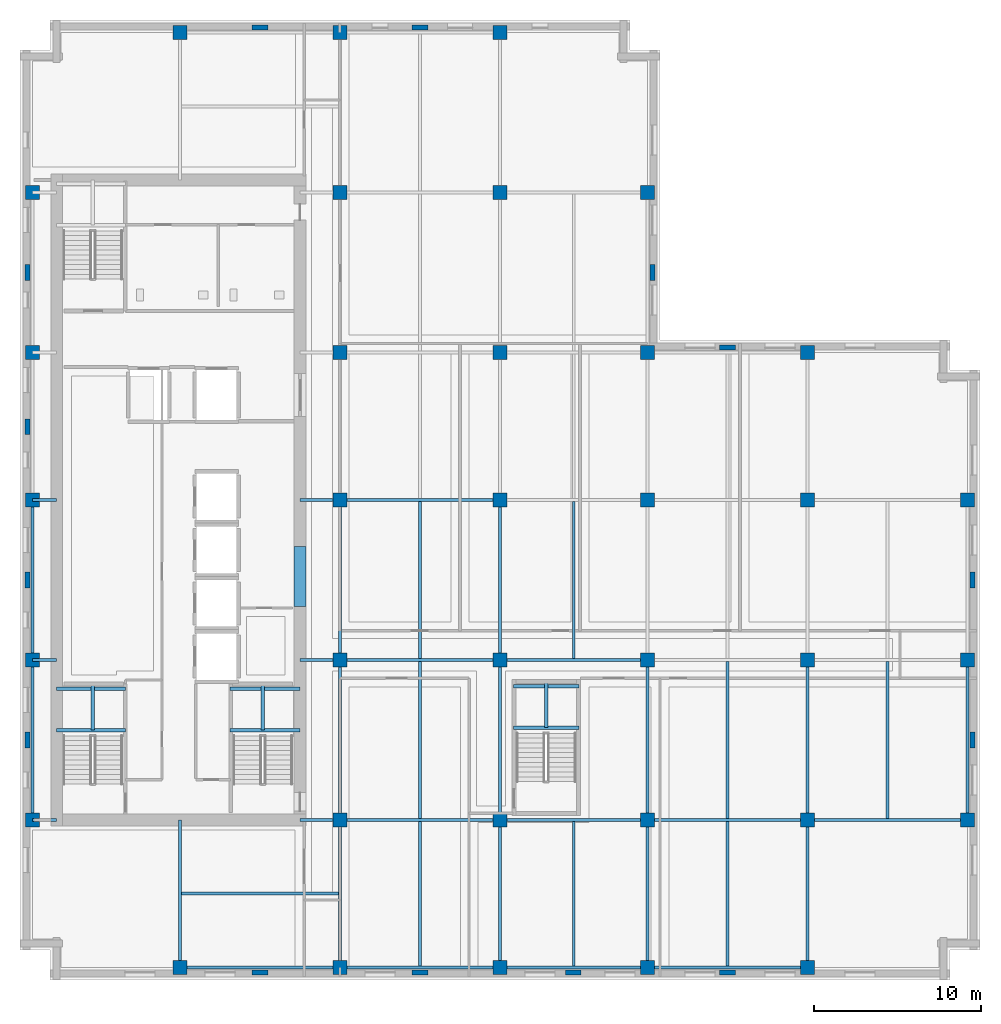
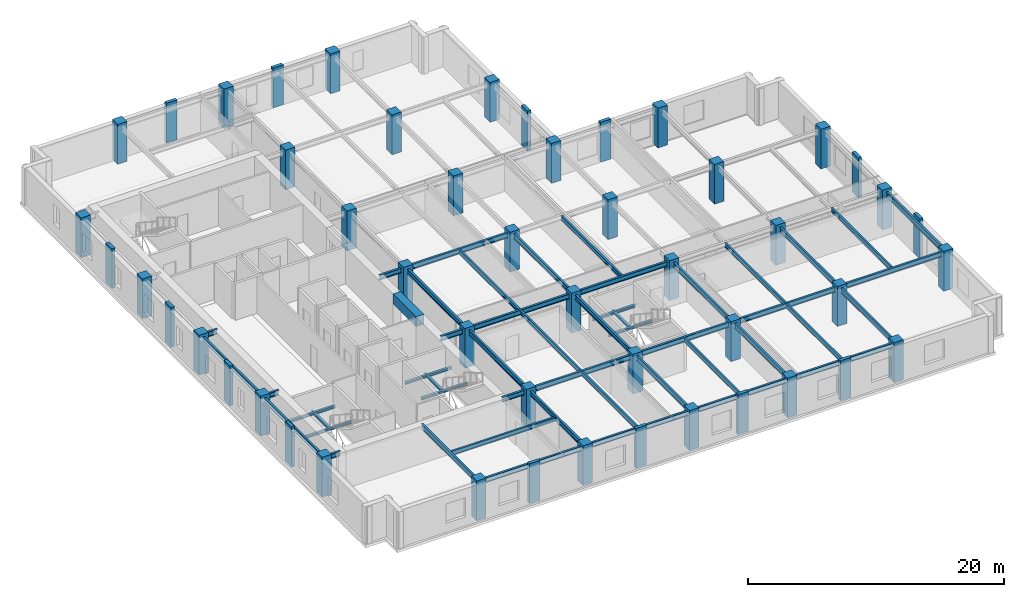
# One storey, part 1 of 11: 50 beams, 49 columns.
"""IFC4 building model written with IfcOpenShell, lengths in metres."""

from ifc_helpers import new_model, si_unit, direction, frame, origin, origin_2d, place, context, subcontext, project, spatial, rectangle, i_section, extrude, material, material_profile, profile_set, type_object, element, save


model = new_model("IFC4")

# Units and contexts
model_context = context("Model", 3, precision=1e-05, world=origin(), true_north=direction((0.0, 1.0)))
body_context = subcontext(model_context, "Body", "Model", "MODEL_VIEW")
ifc_project = project(units=[si_unit("LENGTHUNIT", "METRE"), si_unit("AREAUNIT", "SQUARE_METRE"), si_unit("VOLUMEUNIT", "CUBIC_METRE"), si_unit("PLANEANGLEUNIT", "RADIAN"), si_unit("MASSUNIT", "GRAM", prefix="KILO")], contexts=[model_context])

# Site, building, storey
site_placement = place(None, origin())
site = spatial("IfcSite", under=ifc_project, at=site_placement, CompositionType="ELEMENT")
building_placement = place(site_placement, origin())
building = spatial("IfcBuilding", under=site, at=building_placement, Name="Norrvale University Quadrangle", CompositionType="ELEMENT")
storey_placement = place(building_placement, frame((0.0, 0.0, 202.800048828125)))
storey = spatial("IfcBuildingStorey", under=building, at=storey_placement, Name="L51", CompositionType="ELEMENT", Elevation=202.800048828125)

# Columns
ifc_material_1 = material(Name="Red Manganese Brick Concrete C60/75", Category="concrete")
ifc_material_profile_1 = material_profile(ifc_material_1, rectangle(XDim=0.949951171875, YDim=0.300048828125, at=origin_2d()), Name="Red Manganese Brick Concrete C60/75")
ifc_profile_set_1 = profile_set([ifc_material_profile_1], Name="Red Manganese Brick Concrete C60/75")
column_type_1 = type_object("IfcColumnType", Name="Column Brick Pier 950x300", PredefinedType="PILASTER", material=ifc_profile_set_1)
for number, where, z_axis, x_axis, name in (
    (1, (0.449951171875, 14.39990234375, 0.0), (0.0, 0.0, 1.0), (0.0, 1.0, 0.0), "Exterior Brick Facade Pilaster L51-01"),
    (2, (0.449951171875, 24.0, 0.0), (0.0, 0.0, 1.0), (0.0, 1.0, 0.0), "Exterior Brick Facade Pilaster L51-02"),
    (3, (0.449951171875, 33.199951171875, 0.0), (0.0, 0.0, 1.0), (0.0, 1.0, 0.0), "Exterior Brick Facade Pilaster L51-03"),
    (4, (0.449951171875, 42.449951171875, 0.0), (0.0, 0.0, 1.0), (0.0, 1.0, 0.0), "Exterior Brick Facade Pilaster L51-04"),
    (5, (14.39990234375, 0.449951171875, 0.0), (0.0, 0.0, 1.0), (1.0, 0.0, 0.0), "Exterior Brick Facade Pilaster L51-05"),
    (6, (24.0, 0.449951171875, 0.0), (0.0, 0.0, 1.0), (1.0, 0.0, 0.0), "Exterior Brick Facade Pilaster L51-06"),
    (7, (33.199951171875, 0.449951171875, 0.0), (0.0, 0.0, 1.0), (1.0, 0.0, 0.0), "Exterior Brick Facade Pilaster L51-07"),
    (8, (42.449951171875, 0.449951171875, 0.0), (0.0, 0.0, 1.0), (1.0, 0.0, 0.0), "Exterior Brick Facade Pilaster L51-08"),
    (9, (57.14990234375, 14.39990234375, 0.0), (0.0, 0.0, 1.0), (0.0, 1.0, 0.0), "Exterior Brick Facade Pilaster L51-09"),
    (10, (57.14990234375, 24.0, 0.0), (0.0, 0.0, 1.0), (0.0, 1.0, 0.0), "Exterior Brick Facade Pilaster L51-10"),
    (11, (14.39990234375, 57.14990234375, 0.0), (0.0, 0.0, 1.0), (1.0, 0.0, 0.0), "Exterior Brick Facade Pilaster L51-11"),
    (12, (24.0, 57.14990234375, 0.0), (0.0, 0.0, 1.0), (1.0, 0.0, 0.0), "Exterior Brick Facade Pilaster L51-12"),
    (13, (37.949951171875, 42.449951171875, 0.0), (0.0, 0.0, 1.0), (0.0, 1.0, 0.0), "Exterior Brick Facade Pilaster L51-13"),
    (14, (42.449951171875, 37.949951171875, 0.0), (0.0, 0.0, 1.0), (1.0, 0.0, 0.0), "Exterior Brick Facade Pilaster L51-14"),
):
    element("IfcColumn", number, at=place(storey_placement, frame(where, z_axis=z_axis, x_axis=x_axis)), inside=storey, type_object=column_type_1, Name=name, PredefinedType="PILASTER", context=body_context, shape_type="SweptSolid", body=[
        extrude(rectangle(XDim=0.949951171875, YDim=0.300048828125, at=origin_2d()), origin(), (0.0, 0.0, 1.0), 3.800048828125),
    ])
ifc_material_2 = material(Name="Concrete C60/75", Category="concrete")
ifc_material_profile_2 = material_profile(ifc_material_2, rectangle(XDim=0.85009765625, YDim=0.85009765625, at=origin_2d()), Name="Concrete C60/75")
ifc_profile_set_2 = profile_set([ifc_material_profile_2], Name="Concrete C60/75")
column_type_2 = type_object("IfcColumnType", Name="Column Tower Z3 850x850", PredefinedType="COLUMN", material=ifc_profile_set_2)
for number, where, z_axis, x_axis, name in (
    (15, (0.75, 9.60009765625, 0.0), (0.0, 0.0, 1.0), (1.0, 0.0, 0.0), "Tower Column L51-T01"),
    (16, (0.75, 19.199951171875, 0.0), (0.0, 0.0, 1.0), (1.0, 0.0, 0.0), "Tower Column L51-T02"),
    (17, (0.75, 28.800048828125, 0.0), (0.0, 0.0, 1.0), (1.0, 0.0, 0.0), "Tower Column L51-T03"),
    (18, (0.75, 37.64990234375, 0.0), (0.0, 0.0, 1.0), (1.0, 0.0, 0.0), "Tower Column L51-T04"),
    (19, (0.75, 47.25, 0.0), (0.0, 0.0, 1.0), (1.0, 0.0, 0.0), "Tower Column L51-T05"),
    (20, (9.60009765625, 0.75, 0.0), (0.0, 0.0, 1.0), (1.0, 0.0, 0.0), "Tower Column L51-T06"),
    (21, (9.60009765625, 56.85009765625, 0.0), (0.0, 0.0, 1.0), (1.0, 0.0, 0.0), "Tower Column L51-T07"),
    (22, (19.199951171875, 0.75, 0.0), (0.0, 0.0, 1.0), (1.0, 0.0, 0.0), "Tower Column L51-T08"),
    (23, (19.199951171875, 9.60009765625, 0.0), (0.0, 0.0, 1.0), (1.0, 0.0, 0.0), "Tower Column L51-T09"),
    (24, (19.199951171875, 19.199951171875, 0.0), (0.0, 0.0, 1.0), (1.0, 0.0, 0.0), "Tower Column L51-T10"),
    (25, (19.199951171875, 28.800048828125, 0.0), (0.0, 0.0, 1.0), (1.0, 0.0, 0.0), "Tower Column L51-T11"),
    (26, (19.199951171875, 37.64990234375, 0.0), (0.0, 0.0, 1.0), (1.0, 0.0, 0.0), "Tower Column L51-T12"),
    (27, (19.199951171875, 47.25, 0.0), (0.0, 0.0, 1.0), (1.0, 0.0, 0.0), "Tower Column L51-T13"),
    (28, (19.199951171875, 56.85009765625, 0.0), (0.0, 0.0, 1.0), (1.0, 0.0, 0.0), "Tower Column L51-T14"),
    (29, (28.800048828125, 0.75, 0.0), (0.0, 0.0, 1.0), (1.0, 0.0, 0.0), "Tower Column L51-T15"),
    (30, (28.800048828125, 9.60009765625, 0.0), (0.0, 0.0, 1.0), (1.0, 0.0, 0.0), "Tower Column L51-T16"),
    (31, (28.800048828125, 19.199951171875, 0.0), (0.0, 0.0, 1.0), (1.0, 0.0, 0.0), "Tower Column L51-T17"),
    (32, (28.800048828125, 28.800048828125, 0.0), (0.0, 0.0, 1.0), (1.0, 0.0, 0.0), "Tower Column L51-T18"),
    (33, (28.800048828125, 37.64990234375, 0.0), (0.0, 0.0, 1.0), (1.0, 0.0, 0.0), "Tower Column L51-T19"),
    (34, (28.800048828125, 47.25, 0.0), (0.0, 0.0, 1.0), (1.0, 0.0, 0.0), "Tower Column L51-T20"),
    (35, (28.800048828125, 56.85009765625, 0.0), (0.0, 0.0, 1.0), (1.0, 0.0, 0.0), "Tower Column L51-T21"),
    (36, (37.64990234375, 0.75, 0.0), (0.0, 0.0, 1.0), (1.0, 0.0, 0.0), "Tower Column L51-T22"),
    (37, (37.64990234375, 9.60009765625, 0.0), (0.0, 0.0, 1.0), (1.0, 0.0, 0.0), "Tower Column L51-T23"),
    (38, (37.64990234375, 19.199951171875, 0.0), (0.0, 0.0, 1.0), (1.0, 0.0, 0.0), "Tower Column L51-T24"),
    (39, (37.64990234375, 28.800048828125, 0.0), (0.0, 0.0, 1.0), (1.0, 0.0, 0.0), "Tower Column L51-T25"),
    (40, (37.64990234375, 37.64990234375, 0.0), (0.0, 0.0, 1.0), (1.0, 0.0, 0.0), "Tower Column L51-T26"),
    (41, (37.64990234375, 47.25, 0.0), (0.0, 0.0, 1.0), (1.0, 0.0, 0.0), "Tower Column L51-T27"),
    (42, (47.25, 0.75, 0.0), (0.0, 0.0, 1.0), (1.0, 0.0, 0.0), "Tower Column L51-T28"),
    (43, (47.25, 9.60009765625, 0.0), (0.0, 0.0, 1.0), (1.0, 0.0, 0.0), "Tower Column L51-T29"),
    (44, (47.25, 19.199951171875, 0.0), (0.0, 0.0, 1.0), (1.0, 0.0, 0.0), "Tower Column L51-T30"),
    (45, (47.25, 28.800048828125, 0.0), (0.0, 0.0, 1.0), (1.0, 0.0, 0.0), "Tower Column L51-T31"),
    (46, (47.25, 37.64990234375, 0.0), (0.0, 0.0, 1.0), (1.0, 0.0, 0.0), "Tower Column L51-T32"),
    (47, (56.85009765625, 9.60009765625, 0.0), (0.0, 0.0, 1.0), (1.0, 0.0, 0.0), "Tower Column L51-T33"),
    (48, (56.85009765625, 19.199951171875, 0.0), (0.0, 0.0, 1.0), (1.0, 0.0, 0.0), "Tower Column L51-T34"),
    (49, (56.85009765625, 28.800048828125, 0.0), (0.0, 0.0, 1.0), (1.0, 0.0, 0.0), "Tower Column L51-T35"),
):
    element("IfcColumn", number, at=place(storey_placement, frame(where, z_axis=z_axis, x_axis=x_axis)), inside=storey, type_object=column_type_2, Name=name, PredefinedType="COLUMN", context=body_context, shape_type="SweptSolid", body=[
        extrude(rectangle(XDim=0.85009765625, YDim=0.85009765625, at=origin_2d()), origin(), (0.0, 0.0, 1.0), 3.800048828125),
    ])

# Beams
ifc_material_3 = material(Name="Concrete C80/95", Category="concrete")
ifc_material_profile_3 = material_profile(ifc_material_3, rectangle(XDim=0.699951171875, YDim=0.949951171875, at=origin_2d()), Name="Concrete C80/95")
ifc_profile_set_3 = profile_set([ifc_material_profile_3], Name="Concrete C80/95")
beam_type_1 = type_object("IfcBeamType", Name="Beam Core Link 700x950", PredefinedType="LINTEL", material=ifc_profile_set_3)
beam_1_placement = place(storey_placement, frame((16.800048828125, 22.39990234375, 3.06494140625), z_axis=(0.0, 1.0, 0.0), x_axis=(-1.0, 0.0, 0.0)))
element("IfcBeam", 50, at=beam_1_placement, inside=storey, type_object=beam_type_1, Name="Core Coupling Lintel Beam L51-1", PredefinedType="LINTEL", context=body_context, shape_type="SweptSolid", body=[
    extrude(rectangle(XDim=0.699951171875, YDim=0.949951171875, at=origin_2d()), origin(), (0.0, 0.0, 1.0), 3.60009765625),
])
ifc_material_4 = material(Name="Steel 350W", Category="steel")
ifc_material_profile_4 = material_profile(ifc_material_4, i_section(OverallWidth=0.194091796875, OverallDepth=0.468994140625, WebThickness=0.0126953125, FlangeThickness=0.0205078125, FilletRadius=0.012939453125, at=origin_2d()), Name="Steel 350W")
ifc_profile_set_4 = profile_set([ifc_material_profile_4], Name="Steel 350W")
beam_type_2 = type_object("IfcBeamType", Name="Beam Floor W460x106", PredefinedType="BEAM", material=ifc_profile_set_4)
beam_2_placement = place(storey_placement, frame((9.60009765625, 0.75, 3.305419921875), z_axis=(1.0, 0.0, 0.0), x_axis=(0.0, 1.0, 0.0)))
element("IfcBeam", 51, at=beam_2_placement, inside=storey, type_object=beam_type_2, Name="Beam Floor W460x106 BM-L51-GX001", PredefinedType="BEAM", context=body_context, shape_type="SweptSolid", body=[
    extrude(i_section(OverallWidth=0.194091796875, OverallDepth=0.468994140625, WebThickness=0.0126953125, FlangeThickness=0.0205078125, FilletRadius=0.012939453125, at=origin_2d()), origin(), (0.0, 0.0, 1.0), 9.599853515625),
])
beam_3_placement = place(storey_placement, frame((19.199951171875, 0.75, 3.305419921875), z_axis=(1.0, 0.0, 0.0), x_axis=(0.0, 1.0, 0.0)))
element("IfcBeam", 52, at=beam_3_placement, inside=storey, type_object=beam_type_2, Name="Beam Floor W460x106 BM-L51-GX002", PredefinedType="BEAM", context=body_context, shape_type="SweptSolid", body=[
    extrude(i_section(OverallWidth=0.194091796875, OverallDepth=0.468994140625, WebThickness=0.0126953125, FlangeThickness=0.0205078125, FilletRadius=0.012939453125, at=origin_2d()), origin(), (0.0, 0.0, 1.0), 9.60009765625),
])
beam_4_placement = place(storey_placement, frame((28.800048828125, 0.75, 3.305419921875), z_axis=(1.0, 0.0, 0.0), x_axis=(0.0, 1.0, 0.0)))
element("IfcBeam", 53, at=beam_4_placement, inside=storey, type_object=beam_type_2, Name="Beam Floor W460x106 BM-L51-GX003", PredefinedType="BEAM", context=body_context, shape_type="SweptSolid", body=[
    extrude(i_section(OverallWidth=0.194091796875, OverallDepth=0.468994140625, WebThickness=0.0126953125, FlangeThickness=0.0205078125, FilletRadius=0.012939453125, at=origin_2d()), origin(), (0.0, 0.0, 1.0), 8.849853515625),
])
for number, where, z_axis, x_axis, name in (
    (54, (37.64990234375, 0.75, 3.305419921875), (1.0, 0.0, 0.0), (0.0, 1.0, 0.0), "Beam Floor W460x106 BM-L51-GX004"),
    (55, (19.199951171875, 9.60009765625, 3.305419921875), (1.0, 0.0, 0.0), (0.0, 1.0, 0.0), "Beam Floor W460x106 BM-L51-GX005"),
):
    element("IfcBeam", number, at=place(storey_placement, frame(where, z_axis=z_axis, x_axis=x_axis)), inside=storey, type_object=beam_type_2, Name=name, PredefinedType="BEAM", context=body_context, shape_type="SweptSolid", body=[
        extrude(i_section(OverallWidth=0.194091796875, OverallDepth=0.468994140625, WebThickness=0.0126953125, FlangeThickness=0.0205078125, FilletRadius=0.012939453125, at=origin_2d()), origin(), (0.0, 0.0, 1.0), 9.60009765625),
    ])
beam_5_placement = place(storey_placement, frame((28.800048828125, 9.60009765625, 3.305419921875), z_axis=(1.0, 0.0, 0.0), x_axis=(0.0, 1.0, 0.0)))
element("IfcBeam", 56, at=beam_5_placement, inside=storey, type_object=beam_type_2, Name="Beam Floor W460x106 BM-L51-GX006", PredefinedType="BEAM", context=body_context, shape_type="SweptSolid", body=[
    extrude(i_section(OverallWidth=0.194091796875, OverallDepth=0.468994140625, WebThickness=0.0126953125, FlangeThickness=0.0205078125, FilletRadius=0.012939453125, at=origin_2d()), origin(), (0.0, 0.0, 1.0), 8.849853515625),
])
for number, where, z_axis, x_axis, name in (
    (57, (37.64990234375, 9.60009765625, 3.305419921875), (1.0, 0.0, 0.0), (0.0, 1.0, 0.0), "Beam Floor W460x106 BM-L51-GX007"),
    (58, (47.25, 9.60009765625, 3.305419921875), (1.0, 0.0, 0.0), (0.0, 1.0, 0.0), "Beam Floor W460x106 BM-L51-GX008"),
    (59, (19.199951171875, 19.199951171875, 3.305419921875), (1.0, 0.0, 0.0), (0.0, 1.0, 0.0), "Beam Floor W460x106 BM-L51-GX009"),
):
    element("IfcBeam", number, at=place(storey_placement, frame(where, z_axis=z_axis, x_axis=x_axis)), inside=storey, type_object=beam_type_2, Name=name, PredefinedType="BEAM", context=body_context, shape_type="SweptSolid", body=[
        extrude(i_section(OverallWidth=0.194091796875, OverallDepth=0.468994140625, WebThickness=0.0126953125, FlangeThickness=0.0205078125, FilletRadius=0.012939453125, at=origin_2d()), origin(), (0.0, 0.0, 1.0), 9.60009765625),
    ])
beam_6_placement = place(storey_placement, frame((28.800048828125, 19.199951171875, 3.305419921875), z_axis=(1.0, 0.0, 0.0), x_axis=(0.0, 1.0, 0.0)))
element("IfcBeam", 60, at=beam_6_placement, inside=storey, type_object=beam_type_2, Name="Beam Floor W460x106 BM-L51-GX010", PredefinedType="BEAM", context=body_context, shape_type="SweptSolid", body=[
    extrude(i_section(OverallWidth=0.194091796875, OverallDepth=0.468994140625, WebThickness=0.0126953125, FlangeThickness=0.0205078125, FilletRadius=0.012939453125, at=origin_2d()), origin(), (0.0, 0.0, 1.0), 8.849853515625),
])
beam_7_placement = place(storey_placement, frame((19.199951171875, 28.800048828125, 3.305419921875), z_axis=(1.0, 0.0, 0.0), x_axis=(0.0, 1.0, 0.0)))
element("IfcBeam", 61, at=beam_7_placement, inside=storey, type_object=beam_type_2, Name="Beam Floor W460x106 BM-L51-GX013", PredefinedType="BEAM", context=body_context, shape_type="SweptSolid", body=[
    extrude(i_section(OverallWidth=0.194091796875, OverallDepth=0.468994140625, WebThickness=0.0126953125, FlangeThickness=0.0205078125, FilletRadius=0.012939453125, at=origin_2d()), origin(), (0.0, 0.0, 1.0), 9.60009765625),
])
beam_8_placement = place(storey_placement, frame((0.75, 9.60009765625, 3.305419921875), z_axis=(0.0, 1.0, 0.0), x_axis=(-1.0, 0.0, 0.0)))
element("IfcBeam", 62, at=beam_8_placement, inside=storey, type_object=beam_type_2, Name="Beam Floor W460x106 BM-L51-GY024", PredefinedType="BEAM", context=body_context, shape_type="SweptSolid", body=[
    extrude(i_section(OverallWidth=0.194091796875, OverallDepth=0.468994140625, WebThickness=0.0126953125, FlangeThickness=0.0205078125, FilletRadius=0.012939453125, at=origin_2d()), origin(), (0.0, 0.0, 1.0), 9.599853515625),
])
beam_9_placement = place(storey_placement, frame((0.75, 19.199951171875, 3.305419921875), z_axis=(0.0, 1.0, 0.0), x_axis=(-1.0, 0.0, 0.0)))
element("IfcBeam", 63, at=beam_9_placement, inside=storey, type_object=beam_type_2, Name="Beam Floor W460x106 BM-L51-GY025", PredefinedType="BEAM", context=body_context, shape_type="SweptSolid", body=[
    extrude(i_section(OverallWidth=0.194091796875, OverallDepth=0.468994140625, WebThickness=0.0126953125, FlangeThickness=0.0205078125, FilletRadius=0.012939453125, at=origin_2d()), origin(), (0.0, 0.0, 1.0), 9.60009765625),
])
beam_10_placement = place(storey_placement, frame((19.199951171875, 0.75, 3.305419921875), z_axis=(0.0, 1.0, 0.0), x_axis=(-1.0, 0.0, 0.0)))
element("IfcBeam", 64, at=beam_10_placement, inside=storey, type_object=beam_type_2, Name="Beam Floor W460x106 BM-L51-GY028", PredefinedType="BEAM", context=body_context, shape_type="SweptSolid", body=[
    extrude(i_section(OverallWidth=0.194091796875, OverallDepth=0.468994140625, WebThickness=0.0126953125, FlangeThickness=0.0205078125, FilletRadius=0.012939453125, at=origin_2d()), origin(), (0.0, 0.0, 1.0), 8.85009765625),
])
beam_11_placement = place(storey_placement, frame((19.199951171875, 9.60009765625, 3.305419921875), z_axis=(0.0, 1.0, 0.0), x_axis=(-1.0, 0.0, 0.0)))
element("IfcBeam", 65, at=beam_11_placement, inside=storey, type_object=beam_type_2, Name="Beam Floor W460x106 BM-L51-GY029", PredefinedType="BEAM", context=body_context, shape_type="SweptSolid", body=[
    extrude(i_section(OverallWidth=0.194091796875, OverallDepth=0.468994140625, WebThickness=0.0126953125, FlangeThickness=0.0205078125, FilletRadius=0.012939453125, at=origin_2d()), origin(), (0.0, 0.0, 1.0), 9.599853515625),
])
beam_12_placement = place(storey_placement, frame((19.199951171875, 19.199951171875, 3.305419921875), z_axis=(0.0, 1.0, 0.0), x_axis=(-1.0, 0.0, 0.0)))
element("IfcBeam", 66, at=beam_12_placement, inside=storey, type_object=beam_type_2, Name="Beam Floor W460x106 BM-L51-GY030", PredefinedType="BEAM", context=body_context, shape_type="SweptSolid", body=[
    extrude(i_section(OverallWidth=0.194091796875, OverallDepth=0.468994140625, WebThickness=0.0126953125, FlangeThickness=0.0205078125, FilletRadius=0.012939453125, at=origin_2d()), origin(), (0.0, 0.0, 1.0), 9.60009765625),
])
beam_13_placement = place(storey_placement, frame((28.800048828125, 0.75, 3.305419921875), z_axis=(0.0, 1.0, 0.0), x_axis=(-1.0, 0.0, 0.0)))
element("IfcBeam", 67, at=beam_13_placement, inside=storey, type_object=beam_type_2, Name="Beam Floor W460x106 BM-L51-GY034", PredefinedType="BEAM", context=body_context, shape_type="SweptSolid", body=[
    extrude(i_section(OverallWidth=0.194091796875, OverallDepth=0.468994140625, WebThickness=0.0126953125, FlangeThickness=0.0205078125, FilletRadius=0.012939453125, at=origin_2d()), origin(), (0.0, 0.0, 1.0), 8.85009765625),
])
beam_14_placement = place(storey_placement, frame((28.800048828125, 9.60009765625, 3.305419921875), z_axis=(0.0, 1.0, 0.0), x_axis=(-1.0, 0.0, 0.0)))
element("IfcBeam", 68, at=beam_14_placement, inside=storey, type_object=beam_type_2, Name="Beam Floor W460x106 BM-L51-GY035", PredefinedType="BEAM", context=body_context, shape_type="SweptSolid", body=[
    extrude(i_section(OverallWidth=0.194091796875, OverallDepth=0.468994140625, WebThickness=0.0126953125, FlangeThickness=0.0205078125, FilletRadius=0.012939453125, at=origin_2d()), origin(), (0.0, 0.0, 1.0), 9.599853515625),
])
beam_15_placement = place(storey_placement, frame((28.800048828125, 19.199951171875, 3.305419921875), z_axis=(0.0, 1.0, 0.0), x_axis=(-1.0, 0.0, 0.0)))
element("IfcBeam", 69, at=beam_15_placement, inside=storey, type_object=beam_type_2, Name="Beam Floor W460x106 BM-L51-GY036", PredefinedType="BEAM", context=body_context, shape_type="SweptSolid", body=[
    extrude(i_section(OverallWidth=0.194091796875, OverallDepth=0.468994140625, WebThickness=0.0126953125, FlangeThickness=0.0205078125, FilletRadius=0.012939453125, at=origin_2d()), origin(), (0.0, 0.0, 1.0), 9.60009765625),
])
beam_16_placement = place(storey_placement, frame((37.64990234375, 0.75, 3.305419921875), z_axis=(0.0, 1.0, 0.0), x_axis=(-1.0, 0.0, 0.0)))
element("IfcBeam", 70, at=beam_16_placement, inside=storey, type_object=beam_type_2, Name="Beam Floor W460x106 BM-L51-GY040", PredefinedType="BEAM", context=body_context, shape_type="SweptSolid", body=[
    extrude(i_section(OverallWidth=0.194091796875, OverallDepth=0.468994140625, WebThickness=0.0126953125, FlangeThickness=0.0205078125, FilletRadius=0.012939453125, at=origin_2d()), origin(), (0.0, 0.0, 1.0), 8.85009765625),
])
beam_17_placement = place(storey_placement, frame((37.64990234375, 9.60009765625, 3.305419921875), z_axis=(0.0, 1.0, 0.0), x_axis=(-1.0, 0.0, 0.0)))
element("IfcBeam", 71, at=beam_17_placement, inside=storey, type_object=beam_type_2, Name="Beam Floor W460x106 BM-L51-GY041", PredefinedType="BEAM", context=body_context, shape_type="SweptSolid", body=[
    extrude(i_section(OverallWidth=0.194091796875, OverallDepth=0.468994140625, WebThickness=0.0126953125, FlangeThickness=0.0205078125, FilletRadius=0.012939453125, at=origin_2d()), origin(), (0.0, 0.0, 1.0), 9.599853515625),
])
beam_18_placement = place(storey_placement, frame((47.25, 0.75, 3.305419921875), z_axis=(0.0, 1.0, 0.0), x_axis=(-1.0, 0.0, 0.0)))
element("IfcBeam", 72, at=beam_18_placement, inside=storey, type_object=beam_type_2, Name="Beam Floor W460x106 BM-L51-GY045", PredefinedType="BEAM", context=body_context, shape_type="SweptSolid", body=[
    extrude(i_section(OverallWidth=0.194091796875, OverallDepth=0.468994140625, WebThickness=0.0126953125, FlangeThickness=0.0205078125, FilletRadius=0.012939453125, at=origin_2d()), origin(), (0.0, 0.0, 1.0), 8.85009765625),
])
for number, where, z_axis, x_axis, name in (
    (73, (47.25, 9.60009765625, 3.305419921875), (0.0, 1.0, 0.0), (-1.0, 0.0, 0.0), "Beam Floor W460x106 BM-L51-GY046"),
    (74, (56.85009765625, 9.60009765625, 3.305419921875), (0.0, 1.0, 0.0), (-1.0, 0.0, 0.0), "Beam Floor W460x106 BM-L51-GY049"),
):
    element("IfcBeam", number, at=place(storey_placement, frame(where, z_axis=z_axis, x_axis=x_axis)), inside=storey, type_object=beam_type_2, Name=name, PredefinedType="BEAM", context=body_context, shape_type="SweptSolid", body=[
        extrude(i_section(OverallWidth=0.194091796875, OverallDepth=0.468994140625, WebThickness=0.0126953125, FlangeThickness=0.0205078125, FilletRadius=0.012939453125, at=origin_2d()), origin(), (0.0, 0.0, 1.0), 9.599853515625),
    ])
beam_19_placement = place(storey_placement, frame((0.75, 9.60009765625, 3.305419921875), z_axis=(1.0, 0.0, 0.0), x_axis=(0.0, 1.0, 0.0)))
element("IfcBeam", 75, at=beam_19_placement, inside=storey, type_object=beam_type_2, Name="Beam Floor W460x106 BM-L51-GCW051", PredefinedType="BEAM", context=body_context, shape_type="SweptSolid", body=[
    extrude(i_section(OverallWidth=0.194091796875, OverallDepth=0.468994140625, WebThickness=0.0126953125, FlangeThickness=0.0205078125, FilletRadius=0.012939453125, at=origin_2d()), origin(), (0.0, 0.0, 1.0), 1.449951171875),
])
beam_20_placement = place(storey_placement, frame((16.800048828125, 9.60009765625, 3.305419921875), z_axis=(1.0, 0.0, 0.0), x_axis=(0.0, 1.0, 0.0)))
element("IfcBeam", 76, at=beam_20_placement, inside=storey, type_object=beam_type_2, Name="Beam Floor W460x106 BM-L51-GCE052", PredefinedType="BEAM", context=body_context, shape_type="SweptSolid", body=[
    extrude(i_section(OverallWidth=0.194091796875, OverallDepth=0.468994140625, WebThickness=0.0126953125, FlangeThickness=0.0205078125, FilletRadius=0.012939453125, at=origin_2d()), origin(), (0.0, 0.0, 1.0), 2.39990234375),
])
beam_21_placement = place(storey_placement, frame((0.75, 19.199951171875, 3.305419921875), z_axis=(1.0, 0.0, 0.0), x_axis=(0.0, 1.0, 0.0)))
element("IfcBeam", 77, at=beam_21_placement, inside=storey, type_object=beam_type_2, Name="Beam Floor W460x106 BM-L51-GCW053", PredefinedType="BEAM", context=body_context, shape_type="SweptSolid", body=[
    extrude(i_section(OverallWidth=0.194091796875, OverallDepth=0.468994140625, WebThickness=0.0126953125, FlangeThickness=0.0205078125, FilletRadius=0.012939453125, at=origin_2d()), origin(), (0.0, 0.0, 1.0), 1.449951171875),
])
beam_22_placement = place(storey_placement, frame((16.800048828125, 19.199951171875, 3.305419921875), z_axis=(1.0, 0.0, 0.0), x_axis=(0.0, 1.0, 0.0)))
element("IfcBeam", 78, at=beam_22_placement, inside=storey, type_object=beam_type_2, Name="Beam Floor W460x106 BM-L51-GCE054", PredefinedType="BEAM", context=body_context, shape_type="SweptSolid", body=[
    extrude(i_section(OverallWidth=0.194091796875, OverallDepth=0.468994140625, WebThickness=0.0126953125, FlangeThickness=0.0205078125, FilletRadius=0.012939453125, at=origin_2d()), origin(), (0.0, 0.0, 1.0), 2.39990234375),
])
beam_23_placement = place(storey_placement, frame((0.75, 28.800048828125, 3.305419921875), z_axis=(1.0, 0.0, 0.0), x_axis=(0.0, 1.0, 0.0)))
element("IfcBeam", 79, at=beam_23_placement, inside=storey, type_object=beam_type_2, Name="Beam Floor W460x106 BM-L51-GCW055", PredefinedType="BEAM", context=body_context, shape_type="SweptSolid", body=[
    extrude(i_section(OverallWidth=0.194091796875, OverallDepth=0.468994140625, WebThickness=0.0126953125, FlangeThickness=0.0205078125, FilletRadius=0.012939453125, at=origin_2d()), origin(), (0.0, 0.0, 1.0), 1.449951171875),
])
beam_24_placement = place(storey_placement, frame((16.800048828125, 28.800048828125, 3.305419921875), z_axis=(1.0, 0.0, 0.0), x_axis=(0.0, 1.0, 0.0)))
element("IfcBeam", 80, at=beam_24_placement, inside=storey, type_object=beam_type_2, Name="Beam Floor W460x106 BM-L51-GCE056", PredefinedType="BEAM", context=body_context, shape_type="SweptSolid", body=[
    extrude(i_section(OverallWidth=0.194091796875, OverallDepth=0.468994140625, WebThickness=0.0126953125, FlangeThickness=0.0205078125, FilletRadius=0.012939453125, at=origin_2d()), origin(), (0.0, 0.0, 1.0), 2.39990234375),
])
beam_25_placement = place(storey_placement, frame((9.60009765625, 0.75, 3.305419921875), z_axis=(0.0, 1.0, 0.0), x_axis=(-1.0, 0.0, 0.0)))
element("IfcBeam", 81, at=beam_25_placement, inside=storey, type_object=beam_type_2, Name="Beam Floor W460x106 BM-L51-GCS077", PredefinedType="BEAM", context=body_context, shape_type="SweptSolid", body=[
    extrude(i_section(OverallWidth=0.194091796875, OverallDepth=0.468994140625, WebThickness=0.0126953125, FlangeThickness=0.0205078125, FilletRadius=0.012939453125, at=origin_2d()), origin(), (0.0, 0.0, 1.0), 8.85009765625),
])
ifc_material_profile_5 = material_profile(ifc_material_4, i_section(OverallWidth=0.177978515625, OverallDepth=0.406982421875, WebThickness=0.0078125, FlangeThickness=0.0126953125, FilletRadius=0.011962890625, at=origin_2d()), Name="Steel 350W")
ifc_profile_set_5 = profile_set([ifc_material_profile_5], Name="Steel 350W")
beam_type_3 = type_object("IfcBeamType", Name="Beam Roof Purlin W410x60", PredefinedType="USERDEFINED", material=ifc_profile_set_5)
beam_26_placement = place(storey_placement, frame((24.0, 0.846923828125, 3.33642578125), z_axis=(0.0, 1.0, 0.0), x_axis=(-1.0, 0.0, 0.0)))
element("IfcBeam", 82, at=beam_26_placement, inside=storey, type_object=beam_type_3, Name="Beam Roof Purlin W410x60 BM-L51-J061", ObjectType="PURLIN", PredefinedType="USERDEFINED", context=body_context, shape_type="SweptSolid", body=[
    extrude(i_section(OverallWidth=0.177978515625, OverallDepth=0.406982421875, WebThickness=0.0078125, FlangeThickness=0.0126953125, FilletRadius=0.011962890625, at=origin_2d()), origin(), (0.0, 0.0, 1.0), 8.656005859375),
])
beam_27_placement = place(storey_placement, frame((24.0, 9.697021484375, 3.33642578125), z_axis=(0.0, 1.0, 0.0), x_axis=(-1.0, 0.0, 0.0)))
element("IfcBeam", 83, at=beam_27_placement, inside=storey, type_object=beam_type_3, Name="Beam Roof Purlin W410x60 BM-L51-J062", ObjectType="PURLIN", PredefinedType="USERDEFINED", context=body_context, shape_type="SweptSolid", body=[
    extrude(i_section(OverallWidth=0.177978515625, OverallDepth=0.406982421875, WebThickness=0.0078125, FlangeThickness=0.0126953125, FilletRadius=0.011962890625, at=origin_2d()), origin(), (0.0, 0.0, 1.0), 9.406005859375),
])
beam_28_placement = place(storey_placement, frame((24.0, 19.297119140625, 3.33642578125), z_axis=(0.0, 1.0, 0.0), x_axis=(-1.0, 0.0, 0.0)))
element("IfcBeam", 84, at=beam_28_placement, inside=storey, type_object=beam_type_3, Name="Beam Roof Purlin W410x60 BM-L51-J063", ObjectType="PURLIN", PredefinedType="USERDEFINED", context=body_context, shape_type="SweptSolid", body=[
    extrude(i_section(OverallWidth=0.177978515625, OverallDepth=0.406982421875, WebThickness=0.0078125, FlangeThickness=0.0126953125, FilletRadius=0.011962890625, at=origin_2d()), origin(), (0.0, 0.0, 1.0), 9.40576171875),
])
beam_29_placement = place(storey_placement, frame((33.22509765625, 0.846923828125, 3.33642578125), z_axis=(0.0, 1.0, 0.0), x_axis=(-1.0, 0.0, 0.0)))
element("IfcBeam", 85, at=beam_29_placement, inside=storey, type_object=beam_type_3, Name="Beam Roof Purlin W410x60 BM-L51-J067", ObjectType="PURLIN", PredefinedType="USERDEFINED", context=body_context, shape_type="SweptSolid", body=[
    extrude(i_section(OverallWidth=0.177978515625, OverallDepth=0.406982421875, WebThickness=0.0078125, FlangeThickness=0.0126953125, FilletRadius=0.011962890625, at=origin_2d()), origin(), (0.0, 0.0, 1.0), 8.656005859375),
])
beam_30_placement = place(storey_placement, frame((33.22509765625, 19.297119140625, 3.33642578125), z_axis=(0.0, 1.0, 0.0), x_axis=(-1.0, 0.0, 0.0)))
element("IfcBeam", 86, at=beam_30_placement, inside=storey, type_object=beam_type_3, Name="Beam Roof Purlin W410x60 BM-L51-J068", ObjectType="PURLIN", PredefinedType="USERDEFINED", context=body_context, shape_type="SweptSolid", body=[
    extrude(i_section(OverallWidth=0.177978515625, OverallDepth=0.406982421875, WebThickness=0.0078125, FlangeThickness=0.0126953125, FilletRadius=0.011962890625, at=origin_2d()), origin(), (0.0, 0.0, 1.0), 9.40576171875),
])
beam_31_placement = place(storey_placement, frame((42.449951171875, 0.846923828125, 3.33642578125), z_axis=(0.0, 1.0, 0.0), x_axis=(-1.0, 0.0, 0.0)))
element("IfcBeam", 87, at=beam_31_placement, inside=storey, type_object=beam_type_3, Name="Beam Roof Purlin W410x60 BM-L51-J071", ObjectType="PURLIN", PredefinedType="USERDEFINED", context=body_context, shape_type="SweptSolid", body=[
    extrude(i_section(OverallWidth=0.177978515625, OverallDepth=0.406982421875, WebThickness=0.0078125, FlangeThickness=0.0126953125, FilletRadius=0.011962890625, at=origin_2d()), origin(), (0.0, 0.0, 1.0), 8.656005859375),
])
for number, where, z_axis, x_axis, name in (
    (88, (42.449951171875, 9.697021484375, 3.33642578125), (0.0, 1.0, 0.0), (-1.0, 0.0, 0.0), "Beam Roof Purlin W410x60 BM-L51-J072"),
    (89, (52.050048828125, 9.697021484375, 3.33642578125), (0.0, 1.0, 0.0), (-1.0, 0.0, 0.0), "Beam Roof Purlin W410x60 BM-L51-J075"),
    (90, (9.697021484375, 5.199951171875, 3.33642578125), (1.0, 0.0, 0.0), (0.0, 1.0, 0.0), "Beam Roof Purlin W410x60 BM-L51-JCS078"),
):
    element("IfcBeam", number, at=place(storey_placement, frame(where, z_axis=z_axis, x_axis=x_axis)), inside=storey, type_object=beam_type_3, Name=name, ObjectType="PURLIN", PredefinedType="USERDEFINED", context=body_context, shape_type="SweptSolid", body=[
        extrude(i_section(OverallWidth=0.177978515625, OverallDepth=0.406982421875, WebThickness=0.0078125, FlangeThickness=0.0126953125, FilletRadius=0.011962890625, at=origin_2d()), origin(), (0.0, 0.0, 1.0), 9.406005859375),
    ])
ifc_material_profile_6 = material_profile(ifc_material_4, i_section(OverallWidth=0.201904296875, OverallDepth=0.2470703125, WebThickness=0.00732421875, FlangeThickness=0.010986328125, FilletRadius=0.011962890625, at=origin_2d()), Name="Steel 350W")
ifc_profile_set_6 = profile_set([ifc_material_profile_6], Name="Steel 350W")
beam_type_4 = type_object("IfcBeamType", Name="Beam Stair W250x49", PredefinedType="BEAM", material=ifc_profile_set_6)
for number, where, z_axis, x_axis, name in (
    (91, (2.199951171875, 14.989990234375, 1.576416015625), (1.0, 0.0, 0.0), (0.0, 1.0, 0.0), "Stair Mid-Landing Front Beam ST-01 L51"),
    (92, (2.199951171875, 17.469970703125, 1.576416015625), (1.0, 0.0, 0.0), (0.0, 1.0, 0.0), "Stair Mid-Landing Rear Beam ST-01 L51"),
):
    element("IfcBeam", number, at=place(storey_placement, frame(where, z_axis=z_axis, x_axis=x_axis)), inside=storey, type_object=beam_type_4, Name=name, PredefinedType="BEAM", context=body_context, shape_type="SweptSolid", body=[
        extrude(i_section(OverallWidth=0.201904296875, OverallDepth=0.2470703125, WebThickness=0.00732421875, FlangeThickness=0.010986328125, FilletRadius=0.011962890625, at=origin_2d()), origin(), (0.0, 0.0, 1.0), 4.14013671875),
    ])
for number, where, z_axis, x_axis, name in (
    (93, (12.610107421875, 14.989990234375, 1.576416015625), (1.0, 0.0, 0.0), (0.0, 1.0, 0.0), "Stair Mid-Landing Front Beam ST-03 L51"),
    (94, (12.610107421875, 17.469970703125, 1.576416015625), (1.0, 0.0, 0.0), (0.0, 1.0, 0.0), "Stair Mid-Landing Rear Beam ST-03 L51"),
):
    element("IfcBeam", number, at=place(storey_placement, frame(where, z_axis=z_axis, x_axis=x_axis)), inside=storey, type_object=beam_type_4, Name=name, PredefinedType="BEAM", context=body_context, shape_type="SweptSolid", body=[
        extrude(i_section(OverallWidth=0.201904296875, OverallDepth=0.2470703125, WebThickness=0.00732421875, FlangeThickness=0.010986328125, FilletRadius=0.011962890625, at=origin_2d()), origin(), (0.0, 0.0, 1.0), 4.18994140625),
    ])
for number, where, z_axis, x_axis, name in (
    (95, (29.610107421875, 15.139892578125, 1.576416015625), (1.0, 0.0, 0.0), (0.0, 1.0, 0.0), "Stair Mid-Landing Front Beam ST-04 L51"),
    (96, (29.610107421875, 17.6201171875, 1.576416015625), (1.0, 0.0, 0.0), (0.0, 1.0, 0.0), "Stair Mid-Landing Rear Beam ST-04 L51"),
):
    element("IfcBeam", number, at=place(storey_placement, frame(where, z_axis=z_axis, x_axis=x_axis)), inside=storey, type_object=beam_type_4, Name=name, PredefinedType="BEAM", context=body_context, shape_type="SweptSolid", body=[
        extrude(i_section(OverallWidth=0.201904296875, OverallDepth=0.2470703125, WebThickness=0.00732421875, FlangeThickness=0.010986328125, FilletRadius=0.011962890625, at=origin_2d()), origin(), (0.0, 0.0, 1.0), 3.929931640625),
    ])
ifc_material_profile_7 = material_profile(ifc_material_4, i_section(OverallWidth=0.202880859375, OverallDepth=0.202880859375, WebThickness=0.007080078125, FlangeThickness=0.010986328125, FilletRadius=0.010009765625, at=origin_2d()), Name="Steel 350W")
ifc_profile_set_7 = profile_set([ifc_material_profile_7], Name="Steel 350W")
beam_type_5 = type_object("IfcBeamType", Name="Beam Trim W200x46", PredefinedType="BEAM", material=ifc_profile_set_7)
for number, where, z_axis, x_axis, name in (
    (97, (4.375, 14.989990234375, 1.598388671875), (0.0, 1.0, 0.0), (-1.0, 0.0, 0.0), "Stair Mid-Landing Cross Beam ST-01 L51"),
    (98, (14.574951171875, 14.989990234375, 1.598388671875), (0.0, 1.0, 0.0), (-1.0, 0.0, 0.0), "Stair Mid-Landing Cross Beam ST-03 L51"),
    (99, (31.574951171875, 15.139892578125, 1.598388671875), (0.0, 1.0, 0.0), (-1.0, 0.0, 0.0), "Stair Mid-Landing Cross Beam ST-04 L51"),
):
    element("IfcBeam", number, at=place(storey_placement, frame(where, z_axis=z_axis, x_axis=x_axis)), inside=storey, type_object=beam_type_5, Name=name, PredefinedType="BEAM", context=body_context, shape_type="SweptSolid", body=[
        extrude(i_section(OverallWidth=0.202880859375, OverallDepth=0.202880859375, WebThickness=0.007080078125, FlangeThickness=0.010986328125, FilletRadius=0.010009765625, at=origin_2d()), origin(), (0.0, 0.0, 1.0), 2.800048828125),
    ])

save(model, "model.ifc")
